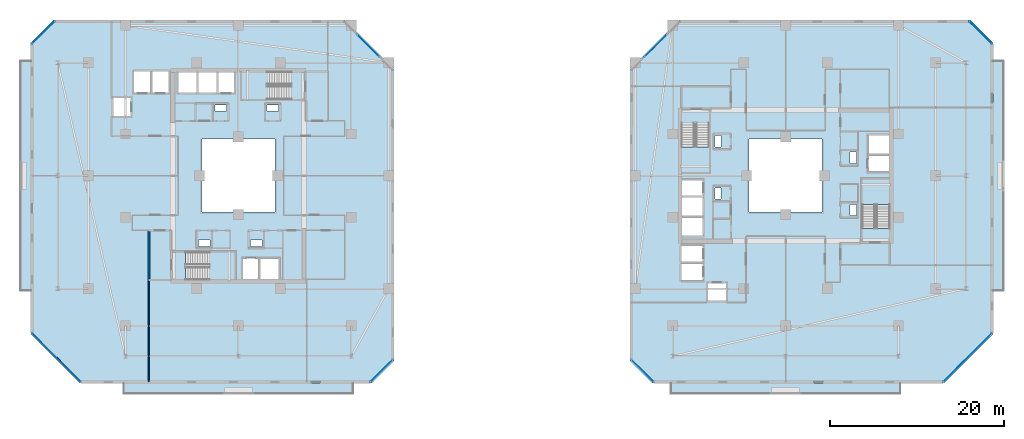
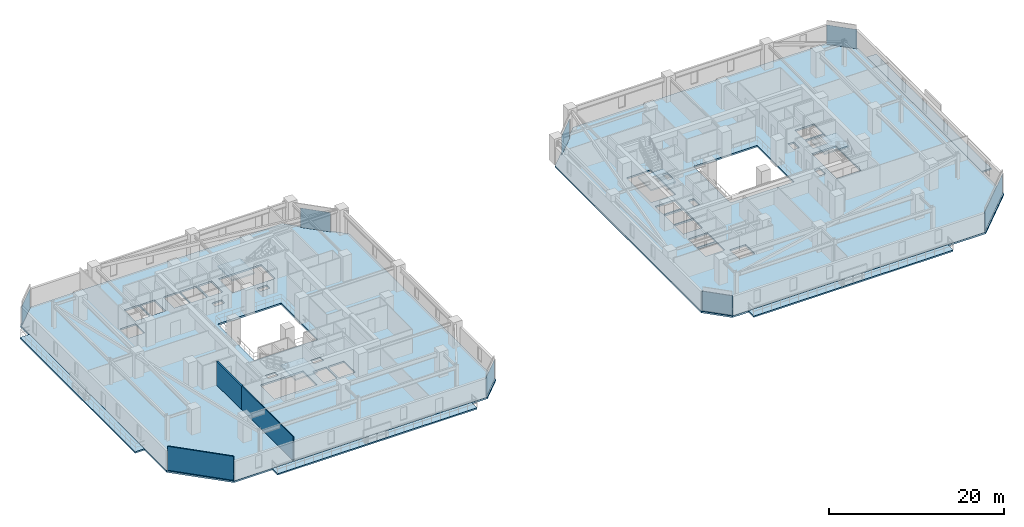
# One storey, part 17 of 31: 10 slabs, 8 plates, 3 walls, 12 elements without a shape of their own.
"""IFC4 building model written with IfcOpenShell, lengths in metres."""

from ifc_helpers import new_model, si_unit, direction, frame, frame_2d, origin, origin_2d, place, context, subcontext, project, spatial, polyline, rectangle, outline, extrude, material, layer, layer_set, type_object, element, aggregate, save


model = new_model("IFC4")

# Units and contexts
model_context = context("Model", 3, precision=1e-05, world=origin(), true_north=direction((0.0, 1.0)))
body_context = subcontext(model_context, "Body", "Model", "MODEL_VIEW")
ifc_project = project(units=[si_unit("LENGTHUNIT", "METRE"), si_unit("AREAUNIT", "SQUARE_METRE"), si_unit("VOLUMEUNIT", "CUBIC_METRE"), si_unit("PLANEANGLEUNIT", "RADIAN"), si_unit("MASSUNIT", "GRAM", prefix="KILO")], contexts=[model_context])

# Site, building, storey
site_placement = place(None, origin())
site = spatial("IfcSite", under=ifc_project, at=site_placement, CompositionType="ELEMENT")
building_placement = place(site_placement, origin())
building = spatial("IfcBuilding", under=site, at=building_placement, Name="Thornwick Lancets Civic Towers", CompositionType="ELEMENT")
storey_placement = place(building_placement, frame((0.0, 0.0, 126.89990234375)))
storey = spatial("IfcBuildingStorey", under=building, at=storey_placement, Name="L33", CompositionType="ELEMENT", Elevation=126.89990234375)

# Curtain wall, plate
ifc_material_1 = material(Name="Mid-zone chamfered-corner unitised glass curtain wall", Category="glass")
curtain_wall_type = type_object("IfcCurtainWallType", Name="CW_SYS_04", PredefinedType="NOTDEFINED", material=ifc_material_1)
curtain_wall_1_placement = place(storey_placement, origin())
curtain_wall_1 = element("IfcCurtainWall", 1, at=curtain_wall_1_placement, inside=storey, type_object=curtain_wall_type, Name="L33 Curtain Wall CW-L33-A-E1", PredefinedType="NOTDEFINED")
ifc_material_2 = material(Name="Low-e double glazing clear glass", Category="glass")
ifc_layer_1 = layer(ifc_material_2, 0.035888671875, Name="Low-e double glazing clear glass")
ifc_layer_set_1 = layer_set([ifc_layer_1], Name="Low-e double glazing clear glass")
plate_type = type_object("IfcPlateType", Name="CW_PNL_GLASS", PredefinedType="CURTAIN_PANEL", material=ifc_layer_set_1)
plate_1_placement = place(storey_placement, frame((41.972900390625, 4.527099609375, 0.0), z_axis=(0.0, 0.0, 1.0), x_axis=(0.707106781187, 0.707106781187, 0.0)))
plate_1 = element("IfcPlate", 2, at=plate_1_placement, type_object=plate_type, Name="CW-L33-A-E1 Panel 0", PredefinedType="CURTAIN_PANEL", context=body_context, shape_type="SweptSolid", body=[
    extrude(rectangle(XDim=3.649169921875, YDim=0.035888671875, at=origin_2d()), origin(), (0.0, 0.0, 1.0), 2.699951171875),
])
aggregate(curtain_wall_1, [plate_1])

curtain_wall_2_placement = place(storey_placement, origin())
curtain_wall_2 = element("IfcCurtainWall", 3, at=curtain_wall_2_placement, inside=storey, type_object=curtain_wall_type, Name="L33 Curtain Wall CW-L33-A-E3", PredefinedType="NOTDEFINED")
plate_2_placement = place(storey_placement, frame((40.451416015625, 41.951416015625, 0.0), z_axis=(0.0, 0.0, 1.0), x_axis=(-0.707106781187, 0.707106781187, 0.0)))
plate_2 = element("IfcPlate", 4, at=plate_2_placement, type_object=plate_type, Name="CW-L33-A-E3 Panel 0", PredefinedType="CURTAIN_PANEL", context=body_context, shape_type="SweptSolid", body=[
    extrude(rectangle(XDim=3.5771484375, YDim=0.035888671875, at=origin_2d()), origin(), (0.0, 0.0, 1.0), 2.699951171875),
])
aggregate(curtain_wall_2, [plate_2])

curtain_wall_3_placement = place(storey_placement, origin())
curtain_wall_3 = element("IfcCurtainWall", 5, at=curtain_wall_3_placement, inside=storey, type_object=curtain_wall_type, Name="L33 Curtain Wall CW-L33-A-E5", PredefinedType="NOTDEFINED")
plate_3_placement = place(storey_placement, frame((3.027099609375, 43.472900390625, 0.0), z_axis=(0.0, 0.0, 1.0), x_axis=(-0.707106781187, -0.707106781187, 0.0)))
plate_3 = element("IfcPlate", 6, at=plate_3_placement, type_object=plate_type, Name="CW-L33-A-E5 Panel 0", PredefinedType="CURTAIN_PANEL", context=body_context, shape_type="SweptSolid", body=[
    extrude(rectangle(XDim=3.649169921875, YDim=0.035888671875, at=origin_2d()), origin(), (0.0, 0.0, 1.0), 2.699951171875),
])
aggregate(curtain_wall_3, [plate_3])

curtain_wall_4_placement = place(storey_placement, origin())
curtain_wall_4 = element("IfcCurtainWall", 7, at=curtain_wall_4_placement, inside=storey, type_object=curtain_wall_type, Name="L33 Curtain Wall CW-L33-A-E7", PredefinedType="NOTDEFINED")
plate_4_placement = place(storey_placement, frame((4.548828125, 6.048828125, 0.0), z_axis=(0.0, 0.0, 1.0), x_axis=(0.707106781187, -0.707106781187, 0.0)))
plate_4 = element("IfcPlate", 8, at=plate_4_placement, type_object=plate_type, Name="CW-L33-A-E7 Panel 0", PredefinedType="CURTAIN_PANEL", context=body_context, shape_type="SweptSolid", body=[
    extrude(rectangle(XDim=7.925048828125, YDim=0.035888671875, at=origin_2d()), origin(), (0.0, 0.0, 1.0), 2.699951171875),
])
aggregate(curtain_wall_4, [plate_4])

curtain_wall_5_placement = place(storey_placement, origin())
curtain_wall_5 = element("IfcCurtainWall", 9, at=curtain_wall_5_placement, inside=storey, type_object=curtain_wall_type, Name="L33 Curtain Wall CW-L33-B-E1", PredefinedType="NOTDEFINED")
plate_5_placement = place(storey_placement, frame((109.451416015625, 6.048828125, 0.0), z_axis=(0.0, 0.0, 1.0), x_axis=(0.707106781187, 0.707106781187, 0.0)))
plate_5 = element("IfcPlate", 10, at=plate_5_placement, type_object=plate_type, Name="CW-L33-B-E1 Panel 0", PredefinedType="CURTAIN_PANEL", context=body_context, shape_type="SweptSolid", body=[
    extrude(rectangle(XDim=7.925048828125, YDim=0.035888671875, at=origin_2d()), origin(), (0.0, 0.0, 1.0), 2.699951171875),
])
aggregate(curtain_wall_5, [plate_5])

curtain_wall_6_placement = place(storey_placement, origin())
curtain_wall_6 = element("IfcCurtainWall", 11, at=curtain_wall_6_placement, inside=storey, type_object=curtain_wall_type, Name="L33 Curtain Wall CW-L33-B-E3", PredefinedType="NOTDEFINED")
plate_6_placement = place(storey_placement, frame((110.972900390625, 43.472900390625, 0.0), z_axis=(0.0, 0.0, 1.0), x_axis=(-0.707106781187, 0.707106781187, 0.0)))
plate_6 = element("IfcPlate", 12, at=plate_6_placement, type_object=plate_type, Name="CW-L33-B-E3 Panel 0", PredefinedType="CURTAIN_PANEL", context=body_context, shape_type="SweptSolid", body=[
    extrude(rectangle(XDim=3.649169921875, YDim=0.035888671875, at=origin_2d()), origin(), (0.0, 0.0, 1.0), 2.699951171875),
])
aggregate(curtain_wall_6, [plate_6])

curtain_wall_7_placement = place(storey_placement, origin())
curtain_wall_7 = element("IfcCurtainWall", 13, at=curtain_wall_7_placement, inside=storey, type_object=curtain_wall_type, Name="L33 Curtain Wall CW-L33-B-E5", PredefinedType="NOTDEFINED")
plate_7_placement = place(storey_placement, frame((73.548583984375, 41.951416015625, 0.0), z_axis=(0.0, 0.0, 1.0), x_axis=(-0.707106781187, -0.707106781187, 0.0)))
plate_7 = element("IfcPlate", 14, at=plate_7_placement, type_object=plate_type, Name="CW-L33-B-E5 Panel 0", PredefinedType="CURTAIN_PANEL", context=body_context, shape_type="SweptSolid", body=[
    extrude(rectangle(XDim=3.5771484375, YDim=0.035888671875, at=origin_2d()), origin(), (0.0, 0.0, 1.0), 2.699951171875),
])
aggregate(curtain_wall_7, [plate_7])

curtain_wall_8_placement = place(storey_placement, origin())
curtain_wall_8 = element("IfcCurtainWall", 15, at=curtain_wall_8_placement, inside=storey, type_object=curtain_wall_type, Name="L33 Curtain Wall CW-L33-B-E7", PredefinedType="NOTDEFINED")
plate_8_placement = place(storey_placement, frame((72.027099609375, 4.527099609375, 0.0), z_axis=(0.0, 0.0, 1.0), x_axis=(0.707106781187, -0.707106781187, 0.0)))
plate_8 = element("IfcPlate", 16, at=plate_8_placement, type_object=plate_type, Name="CW-L33-B-E7 Panel 0", PredefinedType="CURTAIN_PANEL", context=body_context, shape_type="SweptSolid", body=[
    extrude(rectangle(XDim=3.649169921875, YDim=0.035888671875, at=origin_2d()), origin(), (0.0, 0.0, 1.0), 2.699951171875),
])
aggregate(curtain_wall_8, [plate_8])

# Slabs
ifc_material_3 = material(Name="Post-tensioned concrete C40/50", Category="concrete")
ifc_layer_2 = layer(ifc_material_3, 0.199951171875, Name="Post-tensioned concrete C40/50")
ifc_layer_set_2 = layer_set([ifc_layer_2], Name="Post-tensioned concrete C40/50")
slab_type_1 = type_object("IfcSlabType", Name="SLAB_BALCONY_200", PredefinedType="FLOOR", material=ifc_layer_set_2)
slab_1_placement = place(storey_placement, frame((0.0, 0.0, -0.199951171875)))
element("IfcSlab", 17, at=slab_1_placement, inside=storey, type_object=slab_type_1, Name="L33 Tower A Planted Balcony Slab W", PredefinedType="FLOOR", context=body_context, shape_type="SweptSolid", body=[
    extrude(outline(polyline([(0.35009765625, 13.800048828125), (1.60009765625, 13.800048828125), (1.60009765625, 40.199951171875), (0.35009765625, 40.199951171875), (0.35009765625, 13.800048828125)])), origin(), (0.0, 0.0, 1.0), 0.199951171875),
])
slab_2_placement = place(storey_placement, frame((0.0, 0.0, -0.199951171875)))
element("IfcSlab", 18, at=slab_2_placement, inside=storey, type_object=slab_type_1, Name="L33 Tower A Planted Balcony Slab S", PredefinedType="FLOOR", context=body_context, shape_type="SweptSolid", body=[
    extrude(outline(polyline([(12.300048828125, 1.85009765625), (38.699951171875, 1.85009765625), (38.699951171875, 3.10009765625), (12.300048828125, 3.10009765625), (12.300048828125, 1.85009765625)])), origin(), (0.0, 0.0, 1.0), 0.199951171875),
])
slab_3_placement = place(storey_placement, frame((0.0, 0.0, -0.199951171875)))
element("IfcSlab", 19, at=slab_3_placement, inside=storey, type_object=slab_type_1, Name="L33 Tower B Planted Balcony Slab E", PredefinedType="FLOOR", context=body_context, shape_type="SweptSolid", body=[
    extrude(outline(polyline([(112.39990234375, 13.800048828125), (113.64990234375, 13.800048828125), (113.64990234375, 40.199951171875), (112.39990234375, 40.199951171875), (112.39990234375, 13.800048828125)])), origin(), (0.0, 0.0, 1.0), 0.199951171875),
])
slab_4_placement = place(storey_placement, frame((0.0, 0.0, -0.199951171875)))
element("IfcSlab", 20, at=slab_4_placement, inside=storey, type_object=slab_type_1, Name="L33 Tower B Planted Balcony Slab S", PredefinedType="FLOOR", context=body_context, shape_type="SweptSolid", body=[
    extrude(outline(polyline([(75.300048828125, 1.85009765625), (101.699951171875, 1.85009765625), (101.699951171875, 3.10009765625), (75.300048828125, 3.10009765625), (75.300048828125, 1.85009765625)])), origin(), (0.0, 0.0, 1.0), 0.199951171875),
])

# Stair, slab
ifc_material_4 = material(Name="Concrete C40/50", Category="concrete")
stair_type = type_object("IfcStairType", Name="STAIR_DL_3600", PredefinedType="HALF_TURN_STAIR", material=ifc_material_4)
stair_1_placement = place(storey_placement, origin())
stair_1 = element("IfcStair", 21, at=stair_1_placement, inside=storey, type_object=stair_type, Name="L33 Tower A South Exit Stair ST-A1", PredefinedType="HALF_TURN_STAIR")
ifc_layer_3 = layer(ifc_material_4, 0.25, Name="Concrete C40/50")
ifc_layer_set_3 = layer_set([ifc_layer_3], Name="Concrete C40/50")
slab_type_2 = type_object("IfcSlabType", Name="SLAB_LANDING_200", PredefinedType="LANDING", material=ifc_layer_set_3)
slab_5_placement = place(storey_placement, frame((0.0, 0.0, 1.60302734375)))
slab_5 = element("IfcSlab", 22, at=slab_5_placement, type_object=slab_type_2, Name="ST-A1 landing 1", PredefinedType="LANDING", context=body_context, shape_type="SweptSolid", body=[
    extrude(outline(polyline([(22.169921875, 14.93994140625), (25.14990234375, 14.93994140625), (25.14990234375, 18.260009765625), (22.169921875, 18.260009765625), (22.169921875, 14.93994140625)])), origin(), (0.0, 0.0, 1.0), 0.199951171875),
])
aggregate(stair_1, [slab_5])

stair_2_placement = place(storey_placement, origin())
stair_2 = element("IfcStair", 23, at=stair_2_placement, inside=storey, type_object=stair_type, Name="L33 Tower A North Exit Stair ST-A2", PredefinedType="HALF_TURN_STAIR")
slab_6_placement = place(storey_placement, frame((0.0, 0.0, 1.60302734375)))
slab_6 = element("IfcSlab", 24, at=slab_6_placement, type_object=slab_type_2, Name="ST-A2 landing 1", PredefinedType="LANDING", context=body_context, shape_type="SweptSolid", body=[
    extrude(outline(polyline([(28.830078125, 39.06005859375), (25.85009765625, 39.06005859375), (25.85009765625, 35.739990234375), (28.830078125, 35.739990234375), (28.830078125, 39.06005859375)])), origin(), (0.0, 0.0, 1.0), 0.199951171875),
])
aggregate(stair_2, [slab_6])

stair_3_placement = place(storey_placement, origin())
stair_3 = element("IfcStair", 25, at=stair_3_placement, inside=storey, type_object=stair_type, Name="L33 Tower B East Exit Stair ST-B1", PredefinedType="HALF_TURN_STAIR")
slab_7_placement = place(storey_placement, frame((0.0, 0.0, 1.60302734375)))
slab_7 = element("IfcSlab", 26, at=slab_7_placement, type_object=slab_type_2, Name="ST-B1 landing 1", PredefinedType="LANDING", context=body_context, shape_type="SweptSolid", body=[
    extrude(outline(polyline([(100.56005859375, 23.669921875), (100.56005859375, 26.64990234375), (97.239990234375, 26.64990234375), (97.239990234375, 23.669921875), (100.56005859375, 23.669921875)])), origin(), (0.0, 0.0, 1.0), 0.199951171875),
])
aggregate(stair_3, [slab_7])

stair_4_placement = place(storey_placement, origin())
stair_4 = element("IfcStair", 27, at=stair_4_placement, inside=storey, type_object=stair_type, Name="L33 Tower B West Exit Stair ST-B2", PredefinedType="HALF_TURN_STAIR")
slab_8_placement = place(storey_placement, frame((0.0, 0.0, 1.60302734375)))
slab_8 = element("IfcSlab", 28, at=slab_8_placement, type_object=slab_type_2, Name="ST-B2 landing 1", PredefinedType="LANDING", context=body_context, shape_type="SweptSolid", body=[
    extrude(outline(polyline([(76.43994140625, 30.330078125), (76.43994140625, 27.35009765625), (79.760009765625, 27.35009765625), (79.760009765625, 30.330078125), (76.43994140625, 30.330078125)])), origin(), (0.0, 0.0, 1.0), 0.199951171875),
])
aggregate(stair_4, [slab_8])

# Slabs
ifc_layer_4 = layer(ifc_material_3, 0.239990234375, Name="Post-tensioned concrete C40/50")
ifc_layer_set_4 = layer_set([ifc_layer_4], Name="Post-tensioned concrete C40/50")
slab_type_3 = type_object("IfcSlabType", Name="SLAB_PT_240", PredefinedType="FLOOR", material=ifc_layer_set_4)
slab_9_placement = place(storey_placement, frame((0.0, 0.0, -0.239990234375)))
element("IfcSlab", 29, at=slab_9_placement, inside=storey, type_object=slab_type_3, Name="L33 Tower A Floor Slab", PredefinedType="FLOOR", context=body_context, shape_type="SweptSolid", body=[
    extrude(outline(polyline([(7.24609375, 3.10009765625), (40.800048828125, 3.10009765625), (43.39990234375, 5.699951171875), (43.39990234375, 39.25390625), (37.75390625, 44.89990234375), (4.199951171875, 44.89990234375), (1.60009765625, 42.300048828125), (1.60009765625, 8.74609375), (7.24609375, 3.10009765625)]), holes=[polyline([(21.300048828125, 22.800048828125), (29.699951171875, 22.800048828125), (29.699951171875, 31.199951171875), (21.300048828125, 31.199951171875), (21.300048828125, 22.800048828125)]), polyline([(19.429931640625, 15.0), (25.10009765625, 15.0), (25.10009765625, 18.199951171875), (19.429931640625, 18.199951171875), (19.429931640625, 15.0)]), polyline([(31.570068359375, 39.0), (25.89990234375, 39.0), (25.89990234375, 35.800048828125), (31.570068359375, 35.800048828125), (31.570068359375, 39.0)]), polyline([(26.0, 15.0), (27.800048828125, 15.0), (27.800048828125, 17.550048828125), (26.0, 17.550048828125), (26.0, 15.0)]), polyline([(28.0, 15.0), (30.14990234375, 15.0), (30.14990234375, 17.550048828125), (28.0, 17.550048828125), (28.0, 15.0)]), polyline([(23.199951171875, 36.449951171875), (25.0, 36.449951171875), (25.0, 39.0), (23.199951171875, 39.0), (23.199951171875, 36.449951171875)]), polyline([(20.85009765625, 36.449951171875), (23.0, 36.449951171875), (23.0, 39.0), (20.85009765625, 39.0), (20.85009765625, 36.449951171875)]), polyline([(18.60009765625, 36.449951171875), (20.699951171875, 36.449951171875), (20.699951171875, 39.0), (18.60009765625, 39.0), (18.60009765625, 36.449951171875)]), polyline([(15.550048828125, 36.449951171875), (17.449951171875, 36.449951171875), (17.449951171875, 39.0), (15.550048828125, 39.0), (15.550048828125, 36.449951171875)]), polyline([(13.449951171875, 36.449951171875), (15.39990234375, 36.449951171875), (15.39990234375, 39.0), (13.449951171875, 39.0), (13.449951171875, 36.449951171875)]), polyline([(11.10009765625, 33.85009765625), (13.199951171875, 33.85009765625), (13.199951171875, 35.949951171875), (11.10009765625, 35.949951171875), (11.10009765625, 33.85009765625)]), polyline([(26.89990234375, 18.85009765625), (28.199951171875, 18.85009765625), (28.199951171875, 19.580078125), (26.89990234375, 19.580078125), (26.89990234375, 18.85009765625)]), polyline([(20.89990234375, 18.85009765625), (22.199951171875, 18.85009765625), (22.199951171875, 19.580078125), (20.89990234375, 19.580078125), (20.89990234375, 18.85009765625)]), polyline([(22.800048828125, 34.419921875), (24.10009765625, 34.419921875), (24.10009765625, 35.14990234375), (22.800048828125, 35.14990234375), (22.800048828125, 34.419921875)]), polyline([(28.800048828125, 34.419921875), (30.10009765625, 34.419921875), (30.10009765625, 35.14990234375), (28.800048828125, 35.14990234375), (28.800048828125, 34.419921875)])]), origin(), (0.0, 0.0, 1.0), 0.239990234375),
])
slab_10_placement = place(storey_placement, frame((0.0, 0.0, -0.239990234375)))
element("IfcSlab", 30, at=slab_10_placement, inside=storey, type_object=slab_type_3, Name="L33 Tower B Floor Slab", PredefinedType="FLOOR", context=body_context, shape_type="SweptSolid", body=[
    extrude(outline(polyline([(73.199951171875, 3.10009765625), (106.75390625, 3.10009765625), (112.39990234375, 8.74609375), (112.39990234375, 42.300048828125), (109.800048828125, 44.89990234375), (76.24609375, 44.89990234375), (70.60009765625, 39.25390625), (70.60009765625, 5.699951171875), (73.199951171875, 3.10009765625)]), holes=[polyline([(84.300048828125, 22.800048828125), (92.699951171875, 22.800048828125), (92.699951171875, 31.199951171875), (84.300048828125, 31.199951171875), (84.300048828125, 22.800048828125)]), polyline([(100.5, 20.929931640625), (100.5, 26.60009765625), (97.300048828125, 26.60009765625), (97.300048828125, 20.929931640625), (100.5, 20.929931640625)]), polyline([(76.5, 33.070068359375), (76.5, 27.39990234375), (79.699951171875, 27.39990234375), (79.699951171875, 33.070068359375), (76.5, 33.070068359375)]), polyline([(97.949951171875, 27.5), (100.5, 27.5), (100.5, 29.300048828125), (97.949951171875, 29.300048828125), (97.949951171875, 27.5)]), polyline([(97.949951171875, 29.5), (100.5, 29.5), (100.5, 31.64990234375), (97.949951171875, 31.64990234375), (97.949951171875, 29.5)]), polyline([(76.5, 24.699951171875), (79.050048828125, 24.699951171875), (79.050048828125, 26.5), (76.5, 26.5), (76.5, 24.699951171875)]), polyline([(76.5, 22.35009765625), (79.050048828125, 22.35009765625), (79.050048828125, 24.5), (76.5, 24.5), (76.5, 22.35009765625)]), polyline([(76.5, 20.10009765625), (79.050048828125, 20.10009765625), (79.050048828125, 22.199951171875), (76.5, 22.199951171875), (76.5, 20.10009765625)]), polyline([(76.5, 17.050048828125), (79.050048828125, 17.050048828125), (79.050048828125, 18.949951171875), (76.5, 18.949951171875), (76.5, 17.050048828125)]), polyline([(76.5, 14.949951171875), (79.050048828125, 14.949951171875), (79.050048828125, 16.89990234375), (76.5, 16.89990234375), (76.5, 14.949951171875)]), polyline([(79.550048828125, 12.60009765625), (81.64990234375, 12.60009765625), (81.64990234375, 14.699951171875), (79.550048828125, 14.699951171875), (79.550048828125, 12.60009765625)]), polyline([(95.919921875, 28.39990234375), (96.64990234375, 28.39990234375), (96.64990234375, 29.699951171875), (95.919921875, 29.699951171875), (95.919921875, 28.39990234375)]), polyline([(95.919921875, 22.39990234375), (96.64990234375, 22.39990234375), (96.64990234375, 23.699951171875), (95.919921875, 23.699951171875), (95.919921875, 22.39990234375)]), polyline([(80.35009765625, 24.300048828125), (81.080078125, 24.300048828125), (81.080078125, 25.60009765625), (80.35009765625, 25.60009765625), (80.35009765625, 24.300048828125)]), polyline([(80.35009765625, 30.300048828125), (81.080078125, 30.300048828125), (81.080078125, 31.60009765625), (80.35009765625, 31.60009765625), (80.35009765625, 30.300048828125)])]), origin(), (0.0, 0.0, 1.0), 0.239990234375),
])

# Walls
ifc_material_5 = material(Name="Concrete blockwork C40/50", Category="masonry")
ifc_layer_5 = layer(ifc_material_5, 0.199951171875, Name="Concrete blockwork C40/50")
ifc_layer_set_5 = layer_set([ifc_layer_5], Name="Concrete blockwork C40/50")
wall_type_1 = type_object("IfcWallType", Name="WALL_COMP_200", PredefinedType="STANDARD", material=ifc_layer_set_5)
wall_1_placement = place(storey_placement, frame((15.199951171875, 20.699951171875, 0.0), z_axis=(0.0, 0.0, 1.0), x_axis=(0.0, -1.0, 0.0)))
element("IfcWall", 31, at=wall_1_placement, inside=storey, type_object=wall_type_1, Name="L33 Partition L33-A-FFLOB1 E4", PredefinedType="STANDARD", context=body_context, shape_type="SweptSolid", body=[
    extrude(rectangle(XDim=5.699951171875, YDim=0.199951171875, at=frame_2d((2.85009765625, 0.0))), origin(), (0.0, 0.0, 1.0), 3.340087890625),
])
ifc_material_6 = material(Name="Acoustic gypsum board partition")
ifc_layer_6 = layer(ifc_material_6, 0.1201171875, Name="Acoustic gypsum board partition")
ifc_layer_set_6 = layer_set([ifc_layer_6], Name="Acoustic gypsum board partition")
wall_type_2 = type_object("IfcWallType", Name="WALL_PART_120", PredefinedType="PARTITIONING", material=ifc_layer_set_6)
wall_2_placement = place(storey_placement, frame((15.199951171875, 15.0, 0.0), z_axis=(0.0, 0.0, 1.0), x_axis=(0.0, -1.0, 0.0)))
element("IfcWall", 32, at=wall_2_placement, inside=storey, type_object=wall_type_2, Name="L33 Partition L33-A-W1 E5", PredefinedType="PARTITIONING", context=body_context, shape_type="SweptSolid", body=[
    extrude(rectangle(XDim=11.719970703125, YDim=0.1201171875, at=frame_2d((5.85986328125, 0.0))), origin(), (0.0, 0.0, 1.0), 3.340087890625),
])
wall_3_placement = place(storey_placement, frame((7.320556640625, 3.280029296875, 0.0), z_axis=(0.0, 0.0, 1.0), x_axis=(-0.707106781187, 0.707106781187, 0.0)))
element("IfcWall", 33, at=wall_3_placement, inside=storey, type_object=wall_type_2, Name="L33 Partition L33-A-W1 E7", PredefinedType="PARTITIONING", context=body_context, shape_type="SweptSolid", body=[
    extrude(rectangle(XDim=7.83544921875, YDim=0.1201171875, at=frame_2d((3.917724609375, 0.0))), origin(), (0.0, 0.0, 1.0), 3.340087890625),
])

save(model, "model.ifc")
